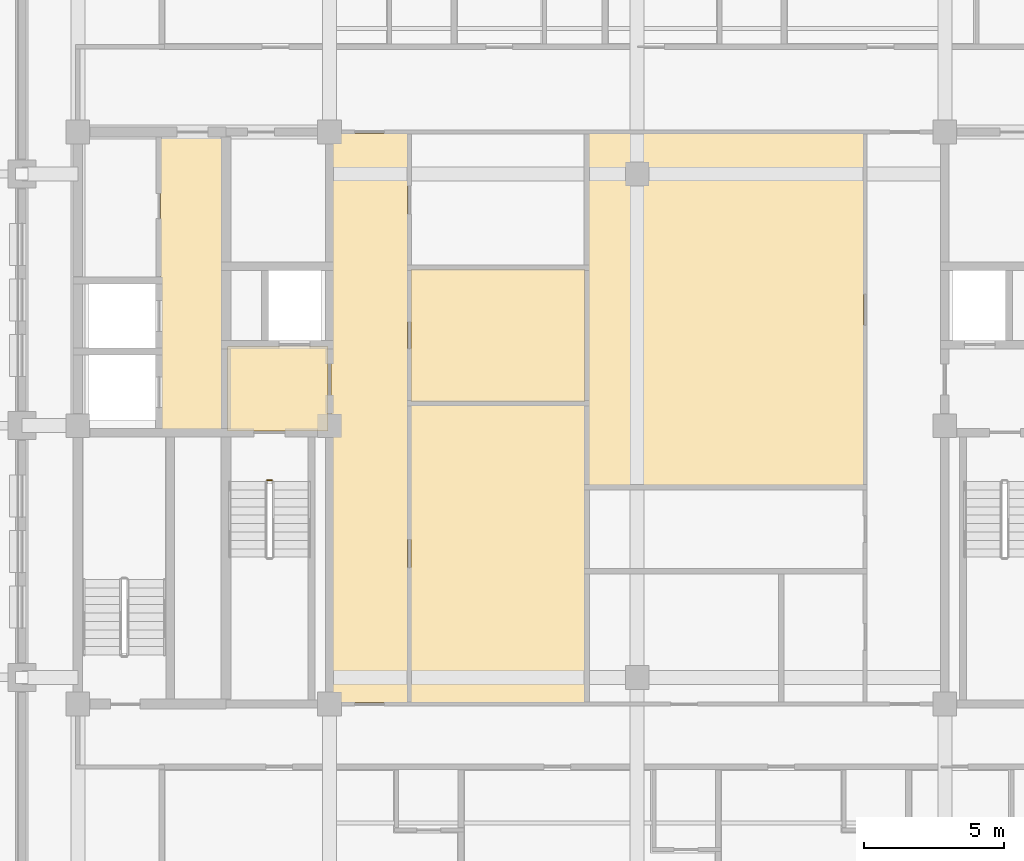
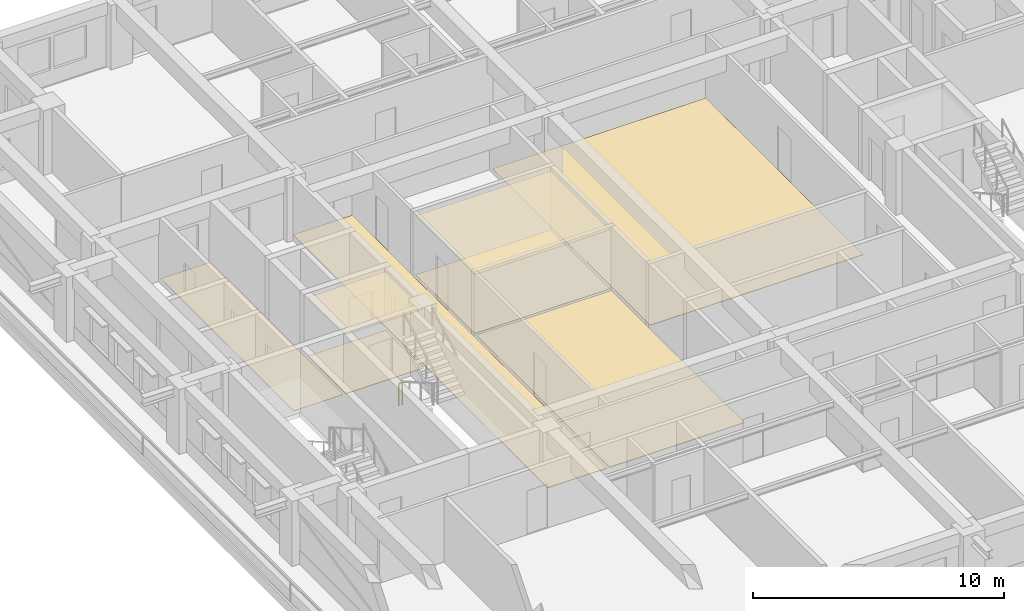
# One storey, part 11 of 14: 8 coverings, 1 railing.
"""IFC4 building model written with IfcOpenShell, lengths in metres."""

import ifcopenshell
import ifcopenshell.guid

model = None  # the IFC model being written
_history = None  # IfcOwnerHistory: only IFC2X3 demands one
_inside = {}  # id of a spatial element -> (the spatial element, [elements in it])
_under = {}  # id of a project, library or spatial element -> (it, [spatial elements below it])
_declared = {}  # id of a project -> (the project, [libraries it declares])
_typed = {}  # id of a type object -> (the type object, [elements of that type])
_made_of = {}  # id of a material, layer set ... -> (it, [elements and type objects made of it])


def new_model(schema):
    """Start an empty IFC model of exactly this schema.

    Asked for "IFC4X3", IfcOpenShell would pick the latest addendum, in which some entities
    have other attributes; the version numbers below select the first issue.
    IFC2X3 requires an IfcOwnerHistory on every rooted entity: one is made here for all.
    """
    global model, _history
    if schema == "IFC4X3":
        model = ifcopenshell.file(schema_version=(4, 3, 0, 0))
    else:
        model = ifcopenshell.file(schema=schema)
    _inside.clear()
    _under.clear()
    _declared.clear()
    _typed.clear()
    _made_of.clear()
    _history = None
    if model.schema == "IFC2X3":
        org = make("IfcOrganization", Name="unknown")
        user = make(
            "IfcPersonAndOrganization",
            ThePerson=make("IfcPerson", FamilyName="unknown"),
            TheOrganization=org,
        )
        app = make(
            "IfcApplication",
            ApplicationDeveloper=org,
            Version="unknown",
            ApplicationFullName="unknown",
            ApplicationIdentifier="unknown",
        )
        _history = make(
            "IfcOwnerHistory",
            OwningUser=user,
            OwningApplication=app,
            ChangeAction="ADDED",
            CreationDate=0,
        )
    return model


def make(cls, **values):
    """One entity of the class cls with the attributes given. An attribute that is None is left unset."""
    return model.create_entity(
        cls, **{name: value for name, value in values.items() if value is not None}
    )


def rooted(cls, **values):
    """An entity with a GlobalId (a new one), such as an element, a storey or a relation."""
    return make(cls, GlobalId=ifcopenshell.guid.new(), OwnerHistory=_history, **values)


def si_unit(unit_type, name, prefix=None):
    """IfcSIUnit, for example si_unit("LENGTHUNIT", "METRE", prefix="MILLI")."""
    return make("IfcSIUnit", UnitType=unit_type, Prefix=prefix, Name=name)


def assignment(units):
    """IfcUnitAssignment: the units of a project."""
    return None if units is None else make("IfcUnitAssignment", Units=units)


def point(xyz):
    """IfcCartesianPoint."""
    return None if xyz is None else make("IfcCartesianPoint", Coordinates=xyz)


def direction(xyz):
    """IfcDirection."""
    return None if xyz is None else make("IfcDirection", DirectionRatios=xyz)


def frame(location, z_axis=None, x_axis=None):
    """IfcAxis2Placement3D, a coordinate frame: its origin and axes. An axis left out is left unset."""
    return make(
        "IfcAxis2Placement3D",
        Location=point(location),
        Axis=direction(z_axis),
        RefDirection=direction(x_axis),
    )


def frame_2d(location, x_axis=None):
    """IfcAxis2Placement2D, a coordinate frame in the plane: its origin and x axis."""
    return make(
        "IfcAxis2Placement2D", Location=point(location), RefDirection=direction(x_axis)
    )


def origin():
    """The frame at (0, 0, 0) with its axes left unset."""
    return frame((0.0, 0.0, 0.0))


def origin_2d():
    """The frame at (0, 0) in the plane with its x axis left unset."""
    return frame_2d((0.0, 0.0))


def place(relative_to, where):
    """IfcLocalPlacement: puts the frame where relative to a parent placement (None: the world)."""
    return make(
        "IfcLocalPlacement", PlacementRelTo=relative_to, RelativePlacement=where
    )


def context(
    kind, dimensions, precision=None, world=None, true_north=None, identifier=None
):
    """IfcGeometricRepresentationContext, for example the 3D "Model" context."""
    return make(
        "IfcGeometricRepresentationContext",
        ContextIdentifier=identifier,
        ContextType=kind,
        CoordinateSpaceDimension=dimensions,
        Precision=precision,
        WorldCoordinateSystem=world,
        TrueNorth=true_north,
    )


def subcontext(parent, identifier, kind, view, scale=None):
    """IfcGeometricRepresentationSubContext, for example "Body" below "Model"."""
    return make(
        "IfcGeometricRepresentationSubContext",
        ContextIdentifier=identifier,
        ContextType=kind,
        ParentContext=parent,
        TargetScale=scale,
        TargetView=view,
    )


def project(units=None, contexts=None):
    """IfcProject with its units and contexts."""
    return rooted(
        "IfcProject",
        Name="project",
        RepresentationContexts=contexts,
        UnitsInContext=assignment(units),
    )


def spatial(cls, under=None, at=None, **own):
    """A site, building, storey or space (cls), placed at a placement, below another one or the project."""
    s = rooted(cls, ObjectPlacement=at, **own)
    if under is not None:
        _under.setdefault(under.id(), (under, []))[1].append(s)
    return s


def polyline(points):
    """IfcPolyline through the points."""
    return make("IfcPolyline", Points=[point(p) for p in points])


def profile(cls, at=None, kind="AREA", **sizes):
    """A parametric profile (cls). Its sizes go by their IFC names, for example OverallWidth=200.0."""
    return make(cls, ProfileType=kind, Position=at, **sizes)


def rectangle(**sizes):
    """IfcRectangleProfileDef."""
    return profile("IfcRectangleProfileDef", **sizes)


def outline(outer, holes=None, kind="AREA"):
    """IfcArbitraryClosedProfileDef: a profile drawn as a closed curve; with holes, ...WithVoids."""
    if holes is None:
        return make("IfcArbitraryClosedProfileDef", ProfileType=kind, OuterCurve=outer)
    return make(
        "IfcArbitraryProfileDefWithVoids",
        ProfileType=kind,
        OuterCurve=outer,
        InnerCurves=holes,
    )


def extrude(swept, where, along, depth):
    """IfcExtrudedAreaSolid: the profile swept, set in the frame where, extruded along a direction by depth."""
    return make(
        "IfcExtrudedAreaSolid",
        SweptArea=swept,
        Position=where,
        ExtrudedDirection=direction(along),
        Depth=depth,
    )


def shape(context_of_items, identifier, shape_type, items):
    """IfcShapeRepresentation: the items that make up one representation, for example the "Body"."""
    return make(
        "IfcShapeRepresentation",
        ContextOfItems=context_of_items,
        RepresentationIdentifier=identifier,
        RepresentationType=shape_type,
        Items=items,
    )


def material(Name=None, Category=None):
    """IfcMaterial."""
    return make("IfcMaterial", Name=Name, Category=Category)


def layer(
    of_material, thickness, ventilated=None, Name=None, Category=None, Priority=None
):
    """IfcMaterialLayer: one layer of a wall or slab, of a material (None: an air gap)."""
    return make(
        "IfcMaterialLayer",
        Material=of_material,
        LayerThickness=thickness,
        IsVentilated=ventilated,
        Name=Name,
        Category=Category,
        Priority=Priority,
    )


def layer_set(layers, Name=None):
    """IfcMaterialLayerSet."""
    return make("IfcMaterialLayerSet", MaterialLayers=layers, LayerSetName=Name)


def made_of(thing, what):
    """Note that an element or type object is made of a material, layer set ...; save() writes the relation."""
    if what is not None:
        _made_of.setdefault(what.id(), (what, []))[1].append(thing)
    return thing


def type_object(cls, material=None, **own):
    """A type object (cls), such as IfcWallType, which elements share."""
    return made_of(rooted(cls, **own), material)


def element(
    cls,
    number,
    at=None,
    inside=None,
    cuts=None,
    type_object=None,
    material=None,
    context=None,
    identifier="Body",
    shape_type=None,
    held_by="IfcProductDefinitionShape",
    body=None,
    shapes=None,
    **own,
):
    """One element of the class cls, such as IfcWall. Its Tag is "e" and its number.

    at: its placement. inside: the storey or other place that contains it. cuts: it is an
    opening in that element (IfcRelVoidsElement). A single representation is given by context,
    identifier, shape_type and body (its items); several are given by shapes. held_by: the class
    of the entity that holds the representations. save() writes the other relations.
    """
    e = rooted(cls, Tag="e%d" % number, ObjectPlacement=at, **own)
    if body is not None:
        shapes = [shape(context, identifier, shape_type, body)]
    if shapes is not None:
        e.Representation = make(held_by, Representations=shapes)
    if inside is not None:
        _inside.setdefault(inside.id(), (inside, []))[1].append(e)
    if cuts is not None:
        rooted(
            "IfcRelVoidsElement", RelatingBuildingElement=cuts, RelatedOpeningElement=e
        )
    if type_object is not None:
        _typed.setdefault(type_object.id(), (type_object, []))[1].append(e)
    return made_of(e, material)


def aggregate(whole, parts):
    """IfcRelAggregates: a whole, such as a stair, and the parts it consists of."""
    return rooted("IfcRelAggregates", RelatingObject=whole, RelatedObjects=parts)


def save(model, path):
    """Write the relations noted so far, then the file.

    IfcRelAggregates (storeys below a building ...), IfcRelContainedInSpatialStructure (elements
    in a storey), IfcRelDefinesByType, IfcRelAssociatesMaterial and IfcRelDeclares: one each for
    every whole, place, type object, material and project.
    """
    for whole, parts in _under.values():
        aggregate(whole, parts)
    for where, things in _inside.values():
        rooted(
            "IfcRelContainedInSpatialStructure",
            RelatedElements=things,
            RelatingStructure=where,
        )
    for kind, things in _typed.values():
        rooted("IfcRelDefinesByType", RelatedObjects=things, RelatingType=kind)
    for what, things in _made_of.values():
        rooted("IfcRelAssociatesMaterial", RelatedObjects=things, RelatingMaterial=what)
    for by, libraries in _declared.values():
        rooted("IfcRelDeclares", RelatingContext=by, RelatedDefinitions=libraries)
    model.write(path)


model = new_model("IFC4")

# Units and contexts
model_context = context("Model", 3, precision=1e-05, world=origin(), true_north=direction((0.0, 1.0)))
body_context = subcontext(model_context, "Body", "Model", "MODEL_VIEW")
ifc_project = project(units=[si_unit("LENGTHUNIT", "METRE"), si_unit("AREAUNIT", "SQUARE_METRE"), si_unit("VOLUMEUNIT", "CUBIC_METRE"), si_unit("PLANEANGLEUNIT", "RADIAN"), si_unit("MASSUNIT", "GRAM", prefix="KILO")], contexts=[model_context])

# Site, building, storey
site_placement = place(None, origin())
site = spatial("IfcSite", under=ifc_project, at=site_placement, CompositionType="ELEMENT")
building_placement = place(site_placement, origin())
building = spatial("IfcBuilding", under=site, at=building_placement, Name="Zulmaris Gate Convention Tower", CompositionType="ELEMENT")
storey_placement = place(building_placement, frame((0.0, 0.0, 179.659912109375)))
storey = spatial("IfcBuildingStorey", under=building, at=storey_placement, Name="L46", CompositionType="ELEMENT", Elevation=179.659912109375)

# Coverings
ifc_material_1 = material(Name="Mineral Fibre Acoustic Ceiling Tile")
ifc_layer_1 = layer(ifc_material_1, 0.02001953125, Name="Mineral Fibre Acoustic Ceiling Tile")
ifc_layer_set_1 = layer_set([ifc_layer_1], Name="Mineral Fibre Acoustic Ceiling Tile")
covering_type_1 = type_object("IfcCoveringType", Name="CLG-ACOUSTIC-600", PredefinedType="CEILING", material=ifc_layer_set_1)
covering_1_placement = place(storey_placement, frame((0.0, 0.0, 2.869873046875)))
element("IfcCovering", 1, at=covering_1_placement, inside=storey, type_object=covering_type_1, Name="CLG-L46-R03", PredefinedType="CEILING", context=body_context, shape_type="SweptSolid", body=[
    extrude(outline(polyline([(-14.639892578125, -0.18994140625), (-11.06005859375, -0.18994140625), (-11.06005859375, 2.840087890625), (-14.639892578125, 2.840087890625), (-14.639892578125, -0.18994140625)])), origin(), (0.0, 0.0, 1.0), 0.02001953125),
])
ifc_material_2 = material(Name="Moisture-Resistant Gypsum Board")
ifc_layer_2 = layer(ifc_material_2, 0.02001953125, Name="Moisture-Resistant Gypsum Board")
ifc_layer_set_2 = layer_set([ifc_layer_2], Name="Moisture-Resistant Gypsum Board")
covering_type_2 = type_object("IfcCoveringType", Name="CLG-GYPSUM-FLUSH", PredefinedType="CEILING", material=ifc_layer_set_2)
covering_2_placement = place(storey_placement, frame((0.0, 0.0, 2.869873046875)))
element("IfcCovering", 2, at=covering_2_placement, inside=storey, type_object=covering_type_2, Name="CLG-L46-R50", PredefinedType="CEILING", context=body_context, shape_type="SweptSolid", body=[
    extrude(outline(polyline([(-8.090087890625, 0.860107421875), (-1.860107421875, 0.860107421875), (-1.860107421875, 5.590087890625), (-8.090087890625, 5.590087890625), (-8.090087890625, 0.860107421875)])), origin(), (0.0, 0.0, 1.0), 0.02001953125),
])
ifc_material_3 = material(Name="Woven Acoustic Wool Carpet Tile")
ifc_layer_3 = layer(ifc_material_3, 0.02001953125, Name="Woven Acoustic Wool Carpet Tile")
ifc_layer_set_3 = layer_set([ifc_layer_3], Name="Woven Acoustic Wool Carpet Tile")
covering_type_3 = type_object("IfcCoveringType", Name="FLR-CARPET-12", PredefinedType="FLOORING", material=ifc_layer_set_3)
covering_3_placement = place(storey_placement, origin())
element("IfcCovering", 3, at=covering_3_placement, inside=storey, type_object=covering_type_3, Name="FLR-L46-R03", PredefinedType="FLOORING", context=body_context, shape_type="SweptSolid", body=[
    extrude(outline(polyline([(-14.639892578125, -0.18994140625), (-11.06005859375, -0.18994140625), (-11.06005859375, 2.840087890625), (-14.639892578125, 2.840087890625), (-14.639892578125, -0.18994140625)])), origin(), (0.0, 0.0, 1.0), 0.02001953125),
])
covering_4_placement = place(storey_placement, origin())
element("IfcCovering", 4, at=covering_4_placement, inside=storey, type_object=covering_type_3, Name="FLR-L46-R17", PredefinedType="FLOORING", context=body_context, shape_type="SweptSolid", body=[
    extrude(outline(polyline([(-17.0400390625, -0.18994140625), (-14.760009765625, -0.18994140625), (-14.760009765625, 10.43994140625), (-17.0400390625, 10.43994140625), (-17.0400390625, -0.18994140625)])), origin(), (0.0, 0.0, 1.0), 0.02001953125),
])
covering_5_placement = place(storey_placement, origin())
element("IfcCovering", 5, at=covering_5_placement, inside=storey, type_object=covering_type_3, Name="FLR-L46-R27", PredefinedType="FLOORING", context=body_context, shape_type="SweptSolid", body=[
    extrude(outline(polyline([(-10.93994140625, -9.889892578125), (-8.2099609375, -9.889892578125), (-8.2099609375, 10.43994140625), (-10.93994140625, 10.43994140625), (-10.93994140625, -9.889892578125)])), origin(), (0.0, 0.0, 1.0), 0.02001953125),
])
covering_6_placement = place(storey_placement, origin())
element("IfcCovering", 6, at=covering_6_placement, inside=storey, type_object=covering_type_3, Name="FLR-L46-R51", PredefinedType="FLOORING", context=body_context, shape_type="SweptSolid", body=[
    extrude(outline(polyline([(-8.090087890625, -9.889892578125), (-1.860107421875, -9.889892578125), (-1.860107421875, 0.739990234375), (-8.090087890625, 0.739990234375), (-8.090087890625, -9.889892578125)])), origin(), (0.0, 0.0, 1.0), 0.02001953125),
])
ifc_material_4 = material(Name="Polished Granite Terrazzo Tile", Category="masonry")
ifc_layer_4 = layer(ifc_material_4, 0.02001953125, Name="Polished Granite Terrazzo Tile")
ifc_layer_set_4 = layer_set([ifc_layer_4], Name="Polished Granite Terrazzo Tile")
covering_type_4 = type_object("IfcCoveringType", Name="FLR-TERRAZZO-30", PredefinedType="FLOORING", material=ifc_layer_set_4)
covering_7_placement = place(storey_placement, origin())
element("IfcCovering", 7, at=covering_7_placement, inside=storey, type_object=covering_type_4, Name="FLR-L46-R50", PredefinedType="FLOORING", context=body_context, shape_type="SweptSolid", body=[
    extrude(outline(polyline([(-8.090087890625, 0.860107421875), (-1.860107421875, 0.860107421875), (-1.860107421875, 5.590087890625), (-8.090087890625, 5.590087890625), (-8.090087890625, 0.860107421875)])), origin(), (0.0, 0.0, 1.0), 0.02001953125),
])
ifc_material_5 = material(Name="Engineered Teak Parquet Flooring")
ifc_layer_5 = layer(ifc_material_5, 0.02001953125, Name="Engineered Teak Parquet Flooring")
ifc_layer_set_5 = layer_set([ifc_layer_5], Name="Engineered Teak Parquet Flooring")
covering_type_5 = type_object("IfcCoveringType", Name="FLR-TIMBER-18", PredefinedType="FLOORING", material=ifc_layer_set_5)
covering_8_placement = place(storey_placement, origin())
element("IfcCovering", 8, at=covering_8_placement, inside=storey, type_object=covering_type_5, Name="FLR-L46-R52", PredefinedType="FLOORING", context=body_context, shape_type="SweptSolid", body=[
    extrude(outline(polyline([(-1.739990234375, -2.139892578125), (8.090087890625, -2.139892578125), (8.090087890625, 10.43994140625), (-1.739990234375, 10.43994140625), (-1.739990234375, -2.139892578125)])), origin(), (0.0, 0.0, 1.0), 0.02001953125),
])

# Railing
ifc_material_6 = material(Name="Painted Galvanised Steel", Category="steel")
railing_type = type_object("IfcRailingType", Name="RL-STG-1150", PredefinedType="GUARDRAIL", material=ifc_material_6)
railing_placement = place(storey_placement, frame((-13.219970703125, -1.949951171875, 0.0)))
element("IfcRailing", 9, at=railing_placement, inside=storey, type_object=railing_type, Name="L46 ST-1 stair guard 4", PredefinedType="GUARDRAIL", context=body_context, shape_type="SweptSolid", body=[
    extrude(rectangle(XDim=0.048095703125, YDim=0.048095703125, at=origin_2d()), frame((0.0, 0.0, 1.076171875), z_axis=(1.0, 0.0, 0.0), x_axis=(0.0, 1.0, 0.0)), (0.0, 0.0, 1.0), 0.159912109375),
    extrude(rectangle(XDim=0.0419921875, YDim=0.0419921875, at=origin_2d()), origin(), (0.0, 0.0, 1.0), 1.052001953125),
    extrude(rectangle(XDim=0.0419921875, YDim=0.0419921875, at=origin_2d()), frame((0.159912109375, 0.0, 0.0)), (0.0, 0.0, 1.0), 1.052001953125),
])

save(model, "model.ifc")
